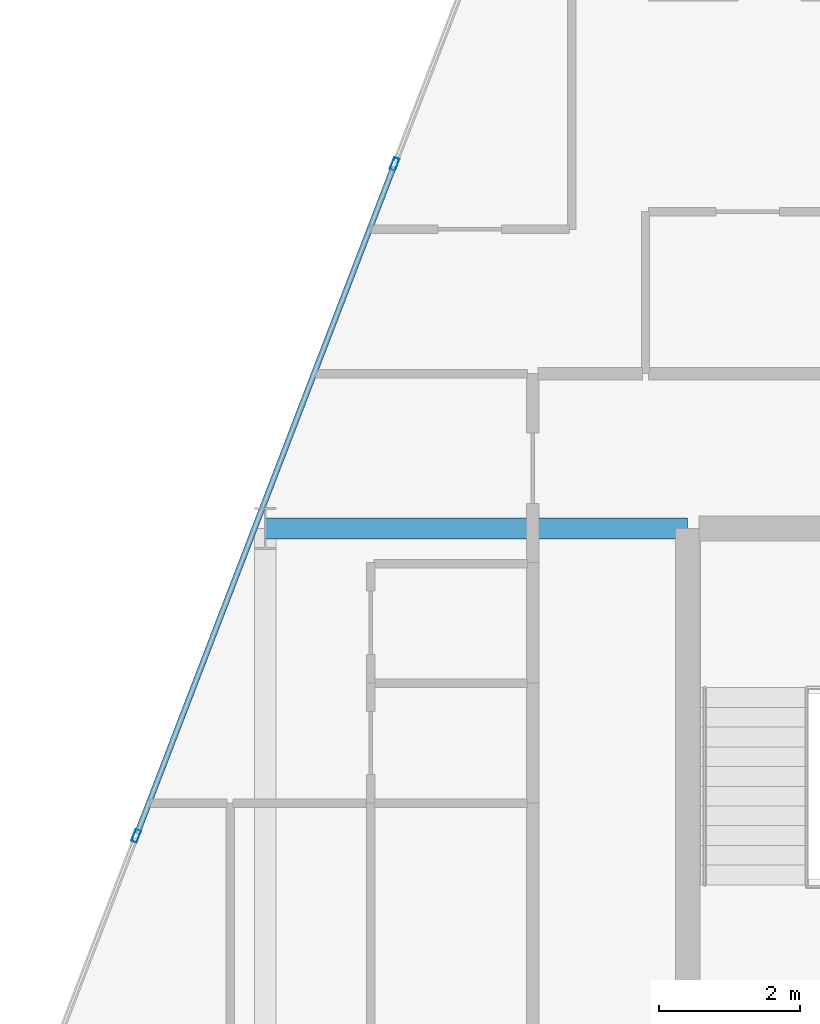
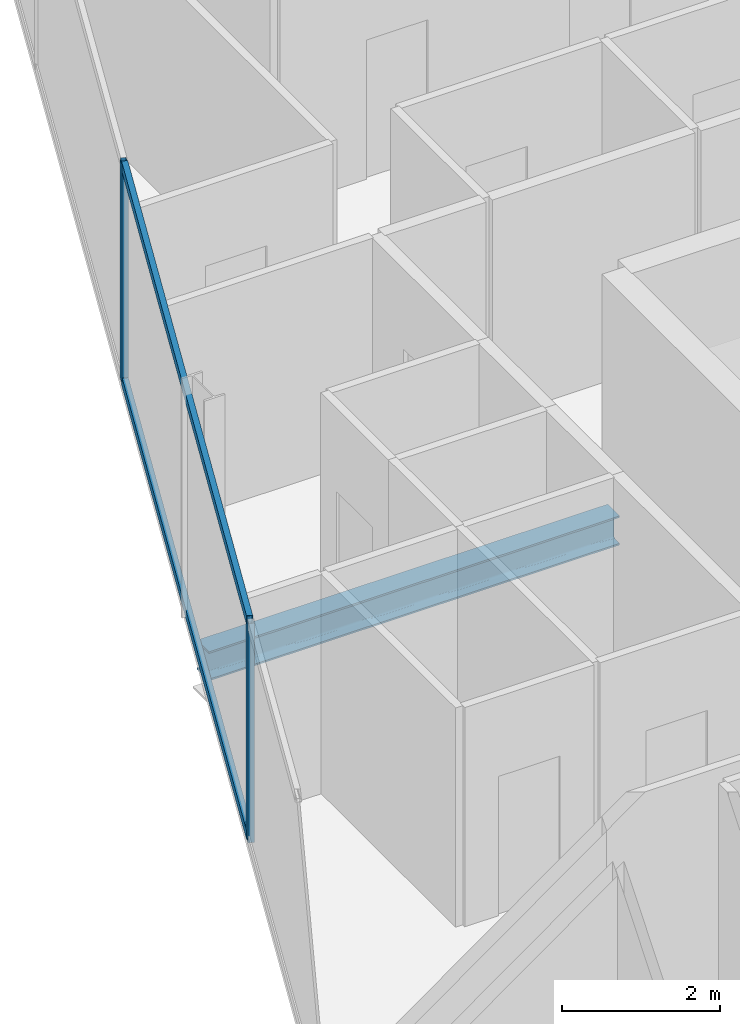
# One storey, part 14 of 30: 4 members, 1 beam, 1 element without a shape of its own.
"""IFC4 building model written with IfcOpenShell, lengths in metres."""

from ifc_helpers import new_model, si_unit, direction, frame, origin, origin_2d, place, context, subcontext, project, spatial, hollow_rectangle, i_section, extrude, material, layer, layer_set, material_profile, profile_set, type_object, element, aggregate, save


model = new_model("IFC4")

# Units and contexts
model_context = context("Model", 3, precision=1e-05, world=origin(), true_north=direction((0.0, 1.0)))
body_context = subcontext(model_context, "Body", "Model", "MODEL_VIEW")
ifc_project = project(units=[si_unit("LENGTHUNIT", "METRE"), si_unit("AREAUNIT", "SQUARE_METRE"), si_unit("VOLUMEUNIT", "CUBIC_METRE"), si_unit("PLANEANGLEUNIT", "RADIAN"), si_unit("MASSUNIT", "GRAM", prefix="KILO")], contexts=[model_context])

# Site, building, storey
site_placement = place(None, origin())
site = spatial("IfcSite", under=ifc_project, at=site_placement, CompositionType="ELEMENT")
building_placement = place(site_placement, origin())
building = spatial("IfcBuilding", under=site, at=building_placement, Name="Keshet Zoharim Tower", CompositionType="ELEMENT")
storey_placement = place(building_placement, frame((0.0, 0.0, 113.10009765625)))
storey = spatial("IfcBuildingStorey", under=building, at=storey_placement, Name="L27", CompositionType="ELEMENT", Elevation=113.10009765625)

# Beam
ifc_material_1 = material(Name="Steel S355", Category="steel")
ifc_material_profile_1 = material_profile(ifc_material_1, i_section(OverallWidth=0.300048828125, OverallDepth=0.449951171875, WebThickness=0.013916015625, FlangeThickness=0.02587890625, FilletRadius=0.027099609375, at=origin_2d()), Name="HEB450")
ifc_profile_set_1 = profile_set([ifc_material_profile_1], Name="Steel S355")
beam_type = type_object("IfcBeamType", Name="BM-WEB-HB450", PredefinedType="BEAM", material=ifc_profile_set_1)
beam_placement = place(storey_placement, frame((9.0, 37.89990234375, -0.5400390625), z_axis=(1.0, 0.0, 0.0), x_axis=(0.0, 1.0, 0.0)))
element("IfcBeam", 1, at=beam_placement, inside=storey, type_object=beam_type, Name="L27 Primary Girder X-018", PredefinedType="BEAM", context=body_context, shape_type="SweptSolid", body=[
    extrude(i_section(OverallWidth=0.300048828125, OverallDepth=0.449951171875, WebThickness=0.013916015625, FlangeThickness=0.02587890625, FilletRadius=0.027099609375, at=origin_2d()), origin(), (0.0, 0.0, 1.0), 6.0),
])

# Curtain wall, members
ifc_material_2 = material(Name="Aluminium 6063-T6", Category="aluminium")
ifc_layer = layer(ifc_material_2, 0.159912109375)
ifc_layer_set = layer_set([ifc_layer], Name="Aluminium 6063-T6")
curtain_wall_type = type_object("IfcCurtainWallType", Name="CW-SYS-03", PredefinedType="NOTDEFINED", material=ifc_layer_set)
curtain_wall_placement = place(storey_placement, origin())
curtain_wall = element("IfcCurtainWall", 2, at=curtain_wall_placement, inside=storey, type_object=curtain_wall_type, Name="L27 Unitised Curtain Wall 10", PredefinedType="NOTDEFINED")
ifc_material_profile_2 = material_profile(ifc_material_2, hollow_rectangle(XDim=0.080078125, YDim=0.179931640625, WallThickness=0.00439453125, at=origin_2d()), Name="MUL-80x180")
ifc_profile_set_2 = profile_set([ifc_material_profile_2], Name="Aluminium 6063-T6")
member_type_1 = type_object("IfcMemberType", Name="CWM-M18", PredefinedType="MULLION", material=ifc_profile_set_2)
member_1_placement = place(storey_placement, frame((7.1669921875, 33.53466796875, 0.0), z_axis=(0.0, 0.0, 1.0), x_axis=(-0.933341404361, 0.358990003907, 0.0)))
member_1 = element("IfcMember", 3, at=member_1_placement, type_object=member_type_1, Name="CW-03 mullion 2", PredefinedType="MULLION", context=body_context, shape_type="SweptSolid", body=[
    extrude(hollow_rectangle(XDim=0.080078125, YDim=0.179931640625, WallThickness=0.00439453125, at=origin_2d()), origin(), (0.0, 0.0, 1.0), 3.385009765625),
])
member_2_placement = place(storey_placement, frame((10.8369140625, 43.076416015625, 0.0), z_axis=(0.0, 0.0, 1.0), x_axis=(-0.933341404361, 0.358990003907, 0.0)))
member_2 = element("IfcMember", 4, at=member_2_placement, type_object=member_type_1, Name="CW-03 mullion 3", PredefinedType="MULLION", context=body_context, shape_type="SweptSolid", body=[
    extrude(hollow_rectangle(XDim=0.080078125, YDim=0.179931640625, WallThickness=0.00439453125, at=origin_2d()), origin(), (0.0, 0.0, 1.0), 3.385009765625),
])
ifc_material_profile_3 = material_profile(ifc_material_2, hollow_rectangle(XDim=0.080078125, YDim=0.139892578125, WallThickness=0.00390625, at=origin_2d()), Name="TRN-80x140")
ifc_profile_set_3 = profile_set([ifc_material_profile_3], Name="Aluminium 6063-T6")
member_type_2 = type_object("IfcMemberType", Name="CWT-T14", PredefinedType="USERDEFINED", material=ifc_profile_set_3)
member_3_placement = place(storey_placement, frame((7.179443359375, 33.5673828125, 0.034912109375), z_axis=(0.359003248899, 0.933336309848, 0.0), x_axis=(-0.933336309848, 0.359003248899, 0.0)))
member_3 = element("IfcMember", 5, at=member_3_placement, type_object=member_type_2, Name="CW-03 transom 2.1", ObjectType="TRANSOM", PredefinedType="USERDEFINED", context=body_context, shape_type="SweptSolid", body=[
    extrude(hollow_rectangle(XDim=0.080078125, YDim=0.139892578125, WallThickness=0.00390625, at=origin_2d()), origin(), (0.0, 0.0, 1.0), 10.153076171875),
])
member_4_placement = place(storey_placement, frame((7.179443359375, 33.5673828125, 3.349853515625), z_axis=(0.359003248899, 0.933336309848, 0.0), x_axis=(-0.933336309848, 0.359003248899, 0.0)))
member_4 = element("IfcMember", 6, at=member_4_placement, type_object=member_type_2, Name="CW-03 transom 2.2", ObjectType="TRANSOM", PredefinedType="USERDEFINED", context=body_context, shape_type="SweptSolid", body=[
    extrude(hollow_rectangle(XDim=0.080078125, YDim=0.139892578125, WallThickness=0.00390625, at=origin_2d()), origin(), (0.0, 0.0, 1.0), 10.153076171875),
])
aggregate(curtain_wall, [member_1, member_2, member_3, member_4])

save(model, "model.ifc")
